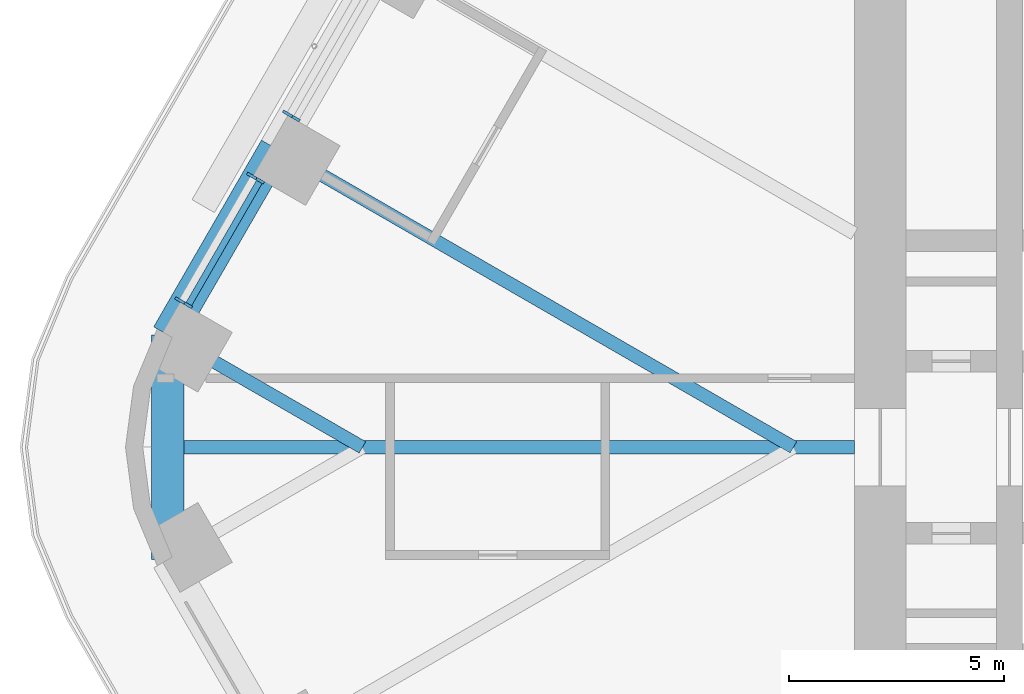
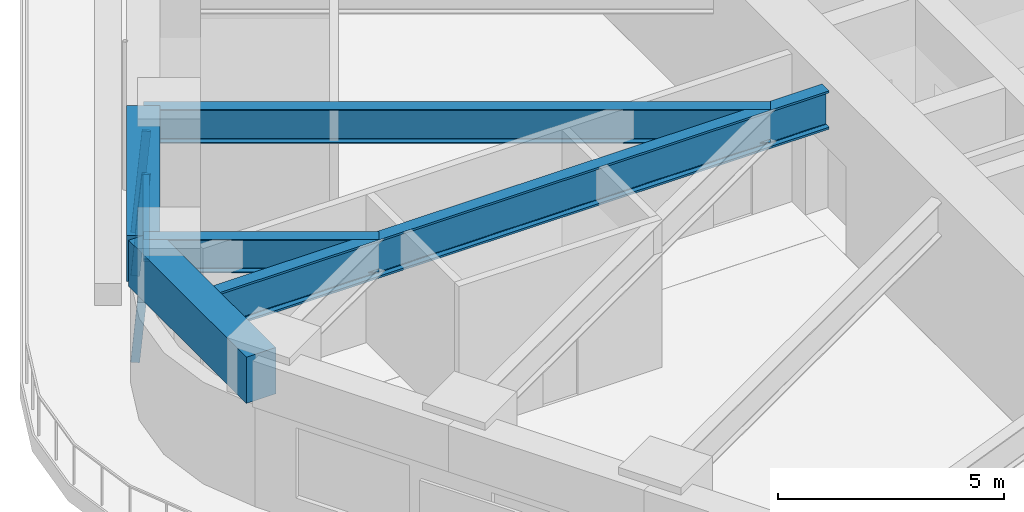
# One storey, part 6 of 24: 5 beams, 4 members, 2 elements without a shape of their own.
"""IFC4 building model written with IfcOpenShell, lengths in metres."""

from ifc_helpers import new_model, si_unit, direction, frame, origin, origin_2d, place, context, subcontext, project, spatial, rectangle, i_section, extrude, material, material_profile, profile_set, type_object, element, aggregate, save


model = new_model("IFC4")

# Units and contexts
model_context = context("Model", 3, precision=1e-05, world=origin(), true_north=direction((0.0, 1.0)))
body_context = subcontext(model_context, "Body", "Model", "MODEL_VIEW")
ifc_project = project(units=[si_unit("LENGTHUNIT", "METRE"), si_unit("AREAUNIT", "SQUARE_METRE"), si_unit("VOLUMEUNIT", "CUBIC_METRE"), si_unit("PLANEANGLEUNIT", "RADIAN"), si_unit("MASSUNIT", "GRAM", prefix="KILO")], contexts=[model_context])

# Site, building, storey
site_placement = place(None, origin())
site = spatial("IfcSite", under=ifc_project, at=site_placement, CompositionType="ELEMENT")
building_placement = place(site_placement, origin())
building = spatial("IfcBuilding", under=site, at=building_placement, Name="Tarfa Lantern Tower", CompositionType="ELEMENT")
storey_placement = place(building_placement, frame((0.0, 0.0, 174.10009765625)))
storey = spatial("IfcBuildingStorey", under=building, at=storey_placement, Name="L39", CompositionType="ELEMENT", Elevation=174.10009765625)

# Curtain wall, member
ifc_material_1 = material(Name="Aluminium framed curtain wall", Category="aluminium")
curtain_wall_type = type_object("IfcCurtainWallType", Name="CW2 CANTED GLAZING MID ZONE 2750", PredefinedType="USERDEFINED", material=ifc_material_1)
curtain_wall_1_placement = place(storey_placement, origin())
curtain_wall_1 = element("IfcCurtainWall", 1, at=curtain_wall_1_placement, inside=storey, type_object=curtain_wall_type, Name="CW2 NWB L39", ObjectType="CURTAIN WALL", PredefinedType="USERDEFINED")
ifc_material_2 = material(Name="Aluminium mullion", Category="aluminium")
ifc_material_profile_1 = material_profile(ifc_material_2, rectangle(XDim=0.06494140625, YDim=0.199951171875, at=origin_2d()), Name="AL MULLION 65x200")
ifc_profile_set_1 = profile_set([ifc_material_profile_1], Name="Aluminium mullion")
member_type_1 = type_object("IfcMemberType", Name="CWM1 MULLION 65x200", PredefinedType="MULLION", material=ifc_profile_set_1)
member_1_placement = place(storey_placement, frame((-31.78076171875, 7.75439453125, 0.0), z_axis=(0.078422950161, -0.045267813396, 0.995891894715), x_axis=(0.499919672301, 0.866071776036, 0.0)))
member_1 = element("IfcMember", 2, at=member_1_placement, type_object=member_type_1, Name="CW2 mullion 2", PredefinedType="MULLION", context=body_context, shape_type="SweptSolid", body=[
    extrude(rectangle(XDim=0.06494140625, YDim=0.199951171875, at=origin_2d()), origin(), (0.0, 0.0, 1.0), 2.76123046875),
])
aggregate(curtain_wall_1, [member_1])

# Curtain wall, members
curtain_wall_2_placement = place(storey_placement, origin())
curtain_wall_2 = element("IfcCurtainWall", 3, at=curtain_wall_2_placement, inside=storey, type_object=curtain_wall_type, Name="CW2 NWB L39", ObjectType="CURTAIN WALL", PredefinedType="USERDEFINED")
member_2_placement = place(storey_placement, frame((-32.613037109375, 6.312255859375, 0.0), z_axis=(0.078335079308, -0.045268127094, 0.995898796073), x_axis=(0.500342721131, 0.865827443207, 0.0)))
member_2 = element("IfcMember", 4, at=member_2_placement, type_object=member_type_1, Name="CW2 mullion 1", PredefinedType="MULLION", context=body_context, shape_type="SweptSolid", body=[
    extrude(rectangle(XDim=0.06494140625, YDim=0.199951171875, at=origin_2d()), origin(), (0.0, 0.0, 1.0), 2.76123046875),
])
member_3_placement = place(storey_placement, frame((-34.282470703125, 3.4208984375, 0.0), z_axis=(0.078422950161, -0.045267813396, 0.995891894715), x_axis=(0.499919672301, 0.866071776036, 0.0)))
member_3 = element("IfcMember", 5, at=member_3_placement, type_object=member_type_1, Name="CW2 mullion 2", PredefinedType="MULLION", context=body_context, shape_type="SweptSolid", body=[
    extrude(rectangle(XDim=0.06494140625, YDim=0.199951171875, at=origin_2d()), origin(), (0.0, 0.0, 1.0), 2.76123046875),
])
ifc_material_3 = material(Name="Aluminium transom", Category="aluminium")
ifc_material_profile_2 = material_profile(ifc_material_3, rectangle(XDim=0.14990234375, YDim=0.06494140625, at=origin_2d()), Name="AL TRANSOM 150x65")
ifc_profile_set_2 = profile_set([ifc_material_profile_2], Name="Aluminium transom")
member_type_2 = type_object("IfcMemberType", Name="CWT1 TRANSOM 150x65", PredefinedType="USERDEFINED", material=ifc_profile_set_2)
member_4_placement = place(storey_placement, frame((-32.41552734375, 6.16064453125, 2.71728515625), z_axis=(-0.499989298045, -0.866031582473, 0.0), x_axis=(0.866031582473, -0.499989298045, 0.0)))
member_4 = element("IfcMember", 6, at=member_4_placement, type_object=member_type_2, Name="CW2 transom 1.2", ObjectType="TRANSOM", PredefinedType="USERDEFINED", context=body_context, shape_type="SweptSolid", body=[
    extrude(rectangle(XDim=0.14990234375, YDim=0.06494140625, at=origin_2d()), origin(), (0.0, 0.0, 1.0), 3.2734375),
])
aggregate(curtain_wall_2, [member_2, member_3, member_4])

# Beams
ifc_material_4 = material(Name="Concrete C80/95", Category="concrete")
ifc_material_profile_3 = material_profile(ifc_material_4, rectangle(XDim=0.75, YDim=1.25, at=origin_2d()), Name="RC 750x1250")
ifc_profile_set_3 = profile_set([ifc_material_profile_3], Name="Concrete C80/95")
beam_type_1 = type_object("IfcBeamType", Name="EB2 RC 750x1250", PredefinedType="SPANDREL", material=ifc_profile_set_3)
beam_1_placement = place(storey_placement, frame((-32.041015625, 6.943359375, 3.375), z_axis=(-0.500022324899, -0.866012514114, 0.0), x_axis=(0.866012514114, -0.500022324899, 0.0)))
element("IfcBeam", 7, at=beam_1_placement, inside=storey, type_object=beam_type_1, Name="Edge beam NW5", PredefinedType="SPANDREL", context=body_context, shape_type="SweptSolid", body=[
    extrude(rectangle(XDim=0.75, YDim=1.25, at=origin_2d()), origin(), (0.0, 0.0, 1.0), 5.003662109375),
])
beam_2_placement = place(storey_placement, frame((-34.54296875, 2.610107421875, 3.375), z_axis=(0.0, -1.0, 0.0), x_axis=(1.0, 0.0, 0.0)))
element("IfcBeam", 8, at=beam_2_placement, inside=storey, type_object=beam_type_1, Name="Edge beam NW6", PredefinedType="SPANDREL", context=body_context, shape_type="SweptSolid", body=[
    extrude(rectangle(XDim=0.75, YDim=1.25, at=origin_2d()), origin(), (0.0, 0.0, 1.0), 5.22021484375),
])
ifc_material_5 = material(Name="Steel S460M", Category="steel")
ifc_material_profile_4 = material_profile(ifc_material_5, i_section(OverallWidth=0.30859375, OverallDepth=1.036376953125, WebThickness=0.030029296875, FlangeThickness=0.05419921875, FilletRadius=0.030029296875, at=origin_2d()), Name="UB1016x305x487")
ifc_profile_set_4 = profile_set([ifc_material_profile_4], Name="Steel S460M")
beam_type_2 = type_object("IfcBeamType", Name="UB1016x305x487", PredefinedType="BEAM", material=ifc_profile_set_4)
beam_3_placement = place(storey_placement, frame((-18.60009765625, 0.0, 3.481689453125), z_axis=(-1.0, 0.0, 0.0), x_axis=(0.0, -1.0, 0.0)))
element("IfcBeam", 9, at=beam_3_placement, inside=storey, type_object=beam_type_2, Name="Hip girder W", PredefinedType="BEAM", context=body_context, shape_type="SweptSolid", body=[
    extrude(i_section(OverallWidth=0.30859375, OverallDepth=1.036376953125, WebThickness=0.030029296875, FlangeThickness=0.05419921875, FilletRadius=0.030029296875, at=origin_2d()), origin(), (0.0, 0.0, 1.0), 15.94287109375),
])
ifc_material_profile_5 = material_profile(ifc_material_5, i_section(OverallWidth=0.305419921875, OverallDepth=0.91845703125, WebThickness=0.017333984375, FlangeThickness=0.02783203125, FilletRadius=0.01904296875, at=origin_2d()), Name="UB914x305x253")
ifc_profile_set_5 = profile_set([ifc_material_profile_5], Name="Steel S460M")
beam_type_3 = type_object("IfcBeamType", Name="UB914x305x253", PredefinedType="BEAM", material=ifc_profile_set_5)
beam_4_placement = place(storey_placement, frame((-32.041015625, 6.943359375, 3.540771484375), z_axis=(0.866023096411, -0.500003996466, 0.0), x_axis=(0.500003996466, 0.866023096411, 0.0)))
element("IfcBeam", 10, at=beam_4_placement, inside=storey, type_object=beam_type_3, Name="Floor beam NW5", PredefinedType="BEAM", context=body_context, shape_type="SweptSolid", body=[
    extrude(i_section(OverallWidth=0.305419921875, OverallDepth=0.91845703125, WebThickness=0.017333984375, FlangeThickness=0.02783203125, FilletRadius=0.01904296875, at=origin_2d()), origin(), (0.0, 0.0, 1.0), 13.88671875),
])
beam_5_placement = place(storey_placement, frame((-34.54296875, 2.610107421875, 3.540771484375), z_axis=(0.866021250859, -0.500007193008, 0.0), x_axis=(0.500007193008, 0.866021250859, 0.0)))
element("IfcBeam", 11, at=beam_5_placement, inside=storey, type_object=beam_type_3, Name="Floor beam NW6", PredefinedType="BEAM", context=body_context, shape_type="SweptSolid", body=[
    extrude(i_section(OverallWidth=0.305419921875, OverallDepth=0.91845703125, WebThickness=0.017333984375, FlangeThickness=0.02783203125, FilletRadius=0.01904296875, at=origin_2d()), origin(), (0.0, 0.0, 1.0), 5.22021484375),
])

save(model, "model.ifc")
